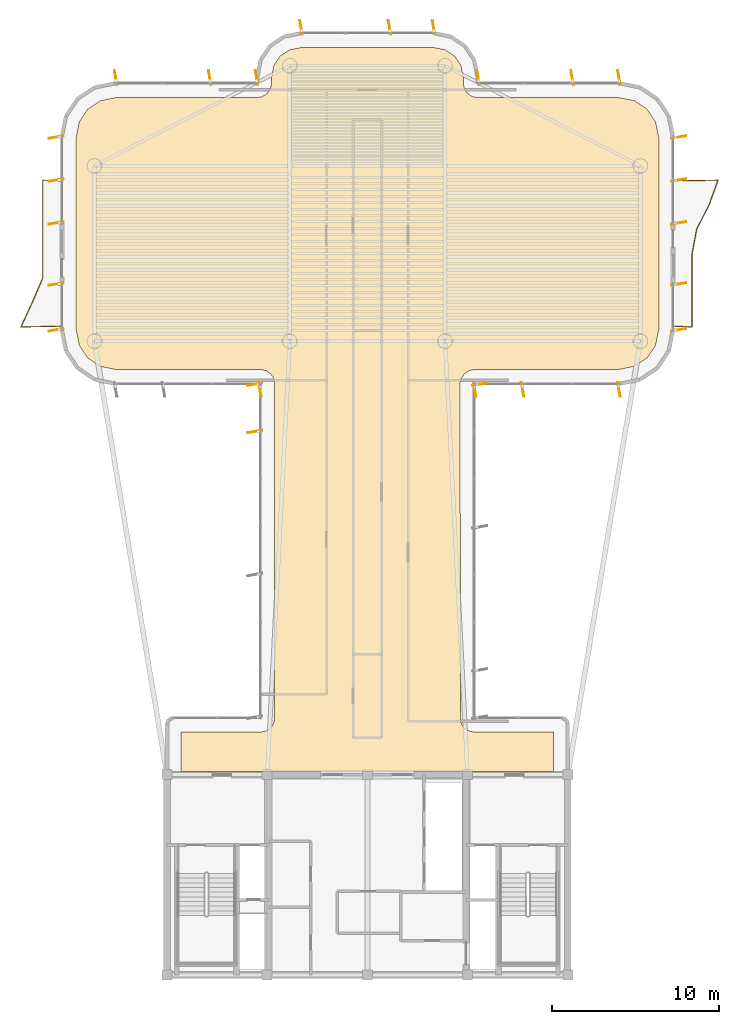
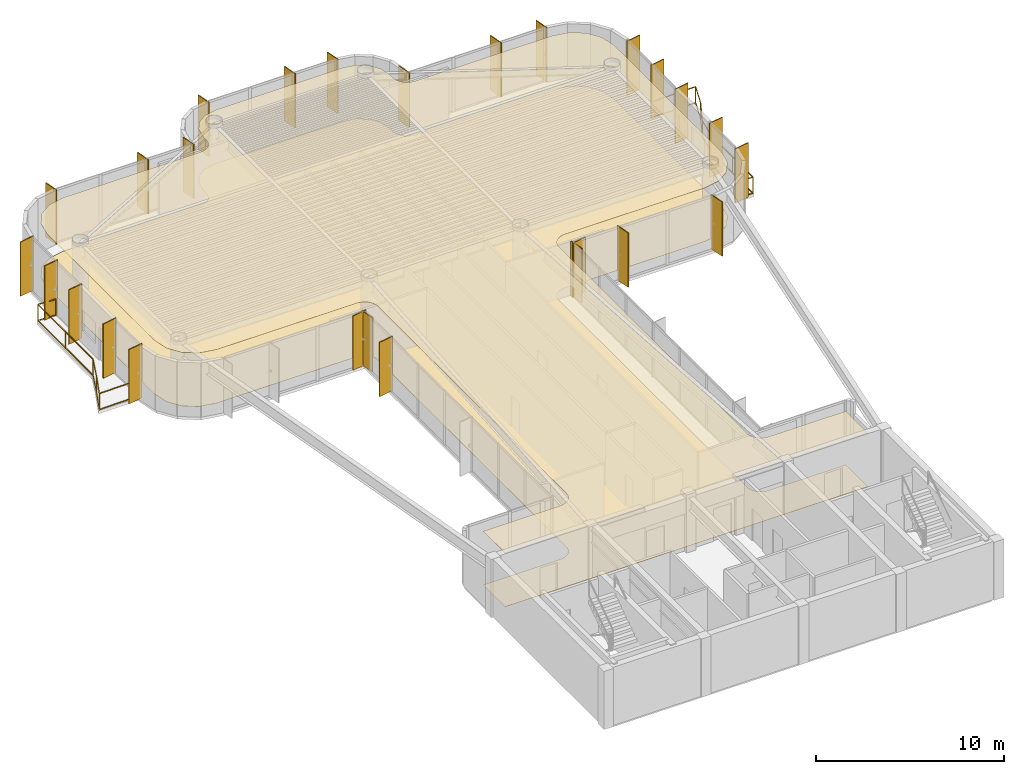
# One storey, part 14 of 14: 26 shading devices, 2 coverings, 2 railings.
"""IFC4 building model written with IfcOpenShell, lengths in metres."""

import ifcopenshell
import ifcopenshell.guid

model = None  # the IFC model being written
_history = None  # IfcOwnerHistory: only IFC2X3 demands one
_inside = {}  # id of a spatial element -> (the spatial element, [elements in it])
_under = {}  # id of a project, library or spatial element -> (it, [spatial elements below it])
_declared = {}  # id of a project -> (the project, [libraries it declares])
_typed = {}  # id of a type object -> (the type object, [elements of that type])
_made_of = {}  # id of a material, layer set ... -> (it, [elements and type objects made of it])


def new_model(schema):
    """Start an empty IFC model of exactly this schema.

    Asked for "IFC4X3", IfcOpenShell would pick the latest addendum, in which some entities
    have other attributes; the version numbers below select the first issue.
    IFC2X3 requires an IfcOwnerHistory on every rooted entity: one is made here for all.
    """
    global model, _history
    if schema == "IFC4X3":
        model = ifcopenshell.file(schema_version=(4, 3, 0, 0))
    else:
        model = ifcopenshell.file(schema=schema)
    _inside.clear()
    _under.clear()
    _declared.clear()
    _typed.clear()
    _made_of.clear()
    _history = None
    if model.schema == "IFC2X3":
        org = make("IfcOrganization", Name="unknown")
        user = make(
            "IfcPersonAndOrganization",
            ThePerson=make("IfcPerson", FamilyName="unknown"),
            TheOrganization=org,
        )
        app = make(
            "IfcApplication",
            ApplicationDeveloper=org,
            Version="unknown",
            ApplicationFullName="unknown",
            ApplicationIdentifier="unknown",
        )
        _history = make(
            "IfcOwnerHistory",
            OwningUser=user,
            OwningApplication=app,
            ChangeAction="ADDED",
            CreationDate=0,
        )
    return model


def make(cls, **values):
    """One entity of the class cls with the attributes given. An attribute that is None is left unset."""
    return model.create_entity(
        cls, **{name: value for name, value in values.items() if value is not None}
    )


def rooted(cls, **values):
    """An entity with a GlobalId (a new one), such as an element, a storey or a relation."""
    return make(cls, GlobalId=ifcopenshell.guid.new(), OwnerHistory=_history, **values)


def si_unit(unit_type, name, prefix=None):
    """IfcSIUnit, for example si_unit("LENGTHUNIT", "METRE", prefix="MILLI")."""
    return make("IfcSIUnit", UnitType=unit_type, Prefix=prefix, Name=name)


def assignment(units):
    """IfcUnitAssignment: the units of a project."""
    return None if units is None else make("IfcUnitAssignment", Units=units)


def point(xyz):
    """IfcCartesianPoint."""
    return None if xyz is None else make("IfcCartesianPoint", Coordinates=xyz)


def direction(xyz):
    """IfcDirection."""
    return None if xyz is None else make("IfcDirection", DirectionRatios=xyz)


def frame(location, z_axis=None, x_axis=None):
    """IfcAxis2Placement3D, a coordinate frame: its origin and axes. An axis left out is left unset."""
    return make(
        "IfcAxis2Placement3D",
        Location=point(location),
        Axis=direction(z_axis),
        RefDirection=direction(x_axis),
    )


def frame_2d(location, x_axis=None):
    """IfcAxis2Placement2D, a coordinate frame in the plane: its origin and x axis."""
    return make(
        "IfcAxis2Placement2D", Location=point(location), RefDirection=direction(x_axis)
    )


def origin():
    """The frame at (0, 0, 0) with its axes left unset."""
    return frame((0.0, 0.0, 0.0))


def origin_2d():
    """The frame at (0, 0) in the plane with its x axis left unset."""
    return frame_2d((0.0, 0.0))


def place(relative_to, where):
    """IfcLocalPlacement: puts the frame where relative to a parent placement (None: the world)."""
    return make(
        "IfcLocalPlacement", PlacementRelTo=relative_to, RelativePlacement=where
    )


def context(
    kind, dimensions, precision=None, world=None, true_north=None, identifier=None
):
    """IfcGeometricRepresentationContext, for example the 3D "Model" context."""
    return make(
        "IfcGeometricRepresentationContext",
        ContextIdentifier=identifier,
        ContextType=kind,
        CoordinateSpaceDimension=dimensions,
        Precision=precision,
        WorldCoordinateSystem=world,
        TrueNorth=true_north,
    )


def subcontext(parent, identifier, kind, view, scale=None):
    """IfcGeometricRepresentationSubContext, for example "Body" below "Model"."""
    return make(
        "IfcGeometricRepresentationSubContext",
        ContextIdentifier=identifier,
        ContextType=kind,
        ParentContext=parent,
        TargetScale=scale,
        TargetView=view,
    )


def project(units=None, contexts=None):
    """IfcProject with its units and contexts."""
    return rooted(
        "IfcProject",
        Name="project",
        RepresentationContexts=contexts,
        UnitsInContext=assignment(units),
    )


def spatial(cls, under=None, at=None, **own):
    """A site, building, storey or space (cls), placed at a placement, below another one or the project."""
    s = rooted(cls, ObjectPlacement=at, **own)
    if under is not None:
        _under.setdefault(under.id(), (under, []))[1].append(s)
    return s


def polyline(points):
    """IfcPolyline through the points."""
    return make("IfcPolyline", Points=[point(p) for p in points])


def profile(cls, at=None, kind="AREA", **sizes):
    """A parametric profile (cls). Its sizes go by their IFC names, for example OverallWidth=200.0."""
    return make(cls, ProfileType=kind, Position=at, **sizes)


def rectangle(**sizes):
    """IfcRectangleProfileDef."""
    return profile("IfcRectangleProfileDef", **sizes)


def outline(outer, holes=None, kind="AREA"):
    """IfcArbitraryClosedProfileDef: a profile drawn as a closed curve; with holes, ...WithVoids."""
    if holes is None:
        return make("IfcArbitraryClosedProfileDef", ProfileType=kind, OuterCurve=outer)
    return make(
        "IfcArbitraryProfileDefWithVoids",
        ProfileType=kind,
        OuterCurve=outer,
        InnerCurves=holes,
    )


def extrude(swept, where, along, depth):
    """IfcExtrudedAreaSolid: the profile swept, set in the frame where, extruded along a direction by depth."""
    return make(
        "IfcExtrudedAreaSolid",
        SweptArea=swept,
        Position=where,
        ExtrudedDirection=direction(along),
        Depth=depth,
    )


def shape(context_of_items, identifier, shape_type, items):
    """IfcShapeRepresentation: the items that make up one representation, for example the "Body"."""
    return make(
        "IfcShapeRepresentation",
        ContextOfItems=context_of_items,
        RepresentationIdentifier=identifier,
        RepresentationType=shape_type,
        Items=items,
    )


def source(mapping_origin, context_of_items, identifier, shape_type, items):
    """IfcRepresentationMap: a shape defined once, which mapped items show again and again."""
    return make(
        "IfcRepresentationMap",
        MappingOrigin=mapping_origin,
        MappedRepresentation=shape(context_of_items, identifier, shape_type, items),
    )


def transform(
    local_origin,
    x_axis=None,
    y_axis=None,
    z_axis=None,
    scale=None,
    scale2=None,
    scale3=None,
    uniform=True,
):
    """IfcCartesianTransformationOperator3D, or its non-uniform kind. x_axis, y_axis, z_axis: its Axis1, 2, 3."""
    if uniform:
        return make(
            "IfcCartesianTransformationOperator3D",
            Axis1=direction(x_axis),
            Axis2=direction(y_axis),
            LocalOrigin=point(local_origin),
            Scale=scale,
            Axis3=direction(z_axis),
        )
    return make(
        "IfcCartesianTransformationOperator3DnonUniform",
        Axis1=direction(x_axis),
        Axis2=direction(y_axis),
        LocalOrigin=point(local_origin),
        Scale=scale,
        Axis3=direction(z_axis),
        Scale2=scale2,
        Scale3=scale3,
    )


def mapped(mapping_source, mapping_target):
    """IfcMappedItem: shows the shape of a source again, moved by a transform."""
    return make(
        "IfcMappedItem", MappingSource=mapping_source, MappingTarget=mapping_target
    )


def material(Name=None, Category=None):
    """IfcMaterial."""
    return make("IfcMaterial", Name=Name, Category=Category)


def layer(
    of_material, thickness, ventilated=None, Name=None, Category=None, Priority=None
):
    """IfcMaterialLayer: one layer of a wall or slab, of a material (None: an air gap)."""
    return make(
        "IfcMaterialLayer",
        Material=of_material,
        LayerThickness=thickness,
        IsVentilated=ventilated,
        Name=Name,
        Category=Category,
        Priority=Priority,
    )


def layer_set(layers, Name=None):
    """IfcMaterialLayerSet."""
    return make("IfcMaterialLayerSet", MaterialLayers=layers, LayerSetName=Name)


def material_profile(
    of_material, cross_section, Name=None, Category=None, Priority=None
):
    """IfcMaterialProfile: a cross section and its material."""
    return make(
        "IfcMaterialProfile",
        Name=Name,
        Material=of_material,
        Profile=cross_section,
        Priority=Priority,
        Category=Category,
    )


def profile_set(profiles, Name=None, composite=None):
    """IfcMaterialProfileSet."""
    return make(
        "IfcMaterialProfileSet",
        Name=Name,
        MaterialProfiles=profiles,
        CompositeProfile=composite,
    )


def made_of(thing, what):
    """Note that an element or type object is made of a material, layer set ...; save() writes the relation."""
    if what is not None:
        _made_of.setdefault(what.id(), (what, []))[1].append(thing)
    return thing


def type_object(cls, material=None, **own):
    """A type object (cls), such as IfcWallType, which elements share."""
    return made_of(rooted(cls, **own), material)


def element(
    cls,
    number,
    at=None,
    inside=None,
    cuts=None,
    type_object=None,
    material=None,
    context=None,
    identifier="Body",
    shape_type=None,
    held_by="IfcProductDefinitionShape",
    body=None,
    shapes=None,
    **own,
):
    """One element of the class cls, such as IfcWall. Its Tag is "e" and its number.

    at: its placement. inside: the storey or other place that contains it. cuts: it is an
    opening in that element (IfcRelVoidsElement). A single representation is given by context,
    identifier, shape_type and body (its items); several are given by shapes. held_by: the class
    of the entity that holds the representations. save() writes the other relations.
    """
    e = rooted(cls, Tag="e%d" % number, ObjectPlacement=at, **own)
    if body is not None:
        shapes = [shape(context, identifier, shape_type, body)]
    if shapes is not None:
        e.Representation = make(held_by, Representations=shapes)
    if inside is not None:
        _inside.setdefault(inside.id(), (inside, []))[1].append(e)
    if cuts is not None:
        rooted(
            "IfcRelVoidsElement", RelatingBuildingElement=cuts, RelatedOpeningElement=e
        )
    if type_object is not None:
        _typed.setdefault(type_object.id(), (type_object, []))[1].append(e)
    return made_of(e, material)


def aggregate(whole, parts):
    """IfcRelAggregates: a whole, such as a stair, and the parts it consists of."""
    return rooted("IfcRelAggregates", RelatingObject=whole, RelatedObjects=parts)


def save(model, path):
    """Write the relations noted so far, then the file.

    IfcRelAggregates (storeys below a building ...), IfcRelContainedInSpatialStructure (elements
    in a storey), IfcRelDefinesByType, IfcRelAssociatesMaterial and IfcRelDeclares: one each for
    every whole, place, type object, material and project.
    """
    for whole, parts in _under.values():
        aggregate(whole, parts)
    for where, things in _inside.values():
        rooted(
            "IfcRelContainedInSpatialStructure",
            RelatedElements=things,
            RelatingStructure=where,
        )
    for kind, things in _typed.values():
        rooted("IfcRelDefinesByType", RelatedObjects=things, RelatingType=kind)
    for what, things in _made_of.values():
        rooted("IfcRelAssociatesMaterial", RelatedObjects=things, RelatingMaterial=what)
    for by, libraries in _declared.values():
        rooted("IfcRelDeclares", RelatingContext=by, RelatedDefinitions=libraries)
    model.write(path)


model = new_model("IFC4")

# Units and contexts
model_context = context("Model", 3, precision=1e-05, world=origin(), true_north=direction((0.0, 1.0)))
body_context = subcontext(model_context, "Body", "Model", "MODEL_VIEW")
ifc_project = project(units=[si_unit("LENGTHUNIT", "METRE"), si_unit("AREAUNIT", "SQUARE_METRE"), si_unit("VOLUMEUNIT", "CUBIC_METRE"), si_unit("PLANEANGLEUNIT", "RADIAN"), si_unit("MASSUNIT", "GRAM", prefix="KILO")], contexts=[model_context])

# Site, building, storey
site_placement = place(None, origin())
site = spatial("IfcSite", under=ifc_project, at=site_placement, CompositionType="ELEMENT")
building_placement = place(site_placement, origin())
building = spatial("IfcBuilding", under=site, at=building_placement, Name="Brelvock Crest Care Tower", CompositionType="ELEMENT")
storey_placement = place(building_placement, frame((0.0, 0.0, 257.0400390625)))
storey = spatial("IfcBuildingStorey", under=building, at=storey_placement, Name="L65", CompositionType="ELEMENT", Elevation=257.0400390625)

# Coverings
ifc_material_1 = material(Name="Mineral Fibre Acoustic Ceiling Tile", Category="gypsum")
ifc_layer_1 = layer(ifc_material_1, 0.02490234375, Name="COV-CLG1")
ifc_layer_set_1 = layer_set([ifc_layer_1], Name="Mineral Fibre Acoustic Ceiling Tile")
covering_type_1 = type_object("IfcCoveringType", Name="COV-CLG1", PredefinedType="CEILING", material=ifc_layer_set_1)
covering_1_placement = place(storey_placement, frame((0.0, 0.0, 3.474853515625)))
element("IfcCovering", 1, at=covering_1_placement, inside=storey, type_object=covering_type_1, Name="L65 Acoustic Suspended Ceiling 1", PredefinedType="CEILING", context=body_context, shape_type="SweptSolid", body=[
    extrude(outline(polyline([(24.85009765625, 18.199951171875), (47.14990234375, 18.199951171875), (47.14990234375, 20.550048828125), (42.316650390625, 20.55419921875), (41.999267578125, 20.650390625), (41.799072265625, 20.799072265625), (41.650390625, 20.999267578125), (41.56640625, 21.234130859375), (41.55419921875, 41.4833984375), (41.61474609375, 41.725341796875), (41.799072265625, 42.0009765625), (42.07470703125, 42.185302734375), (42.316650390625, 42.245849609375), (51.016357421875, 42.25), (51.992919921875, 42.4443359375), (52.75, 42.9501953125), (53.255615234375, 43.70703125), (53.449951171875, 44.68359375), (53.449951171875, 56.1162109375), (53.255615234375, 57.093017578125), (52.75, 57.849853515625), (51.992919921875, 58.355712890625), (51.016357421875, 58.550048828125), (42.60009765625, 58.550048828125), (42.353271484375, 58.586669921875), (42.127685546875, 58.693359375), (41.9990234375, 58.799072265625), (41.814697265625, 59.07470703125), (41.754150390625, 59.316650390625), (41.75, 59.71630859375), (41.601318359375, 60.46337890625), (41.2255859375, 61.025634765625), (40.663330078125, 61.4013671875), (39.916259765625, 61.550048828125), (32.083740234375, 61.550048828125), (31.336669921875, 61.4013671875), (30.7744140625, 61.025634765625), (30.398681640625, 60.46337890625), (30.25, 59.71630859375), (30.245849609375, 59.316650390625), (30.185302734375, 59.07470703125), (30.0009765625, 58.799072265625), (29.872314453125, 58.693359375), (29.646728515625, 58.586669921875), (29.39990234375, 58.550048828125), (20.983642578125, 58.550048828125), (20.007080078125, 58.355712890625), (19.25, 57.849853515625), (18.744384765625, 57.093017578125), (18.550048828125, 56.1162109375), (18.550048828125, 44.68359375), (18.744384765625, 43.70703125), (19.25, 42.9501953125), (20.007080078125, 42.4443359375), (20.983642578125, 42.25), (29.683349609375, 42.245849609375), (29.92529296875, 42.185302734375), (30.200927734375, 42.0009765625), (30.349609375, 41.80078125), (30.43359375, 41.56591796875), (30.449951171875, 21.39990234375), (30.413330078125, 21.1533203125), (30.306640625, 20.927734375), (30.13916015625, 20.742919921875), (29.92529296875, 20.61474609375), (29.683349609375, 20.55419921875), (24.85009765625, 20.550048828125), (24.85009765625, 18.199951171875)])), origin(), (0.0, 0.0, 1.0), 0.025146484375),
])
ifc_material_2 = material(Name="Slip-Resistant Acoustic Vinyl Flooring", Category="finish")
ifc_layer_2 = layer(ifc_material_2, 0.014892578125, Name="COV-FLR1")
ifc_layer_set_2 = layer_set([ifc_layer_2], Name="Slip-Resistant Acoustic Vinyl Flooring")
covering_type_2 = type_object("IfcCoveringType", Name="COV-FLR1", PredefinedType="FLOORING", material=ifc_layer_set_2)
covering_2_placement = place(storey_placement, origin())
element("IfcCovering", 2, at=covering_2_placement, inside=storey, type_object=covering_type_2, Name="L65 Slip-Resistant Acoustic Flooring 1", PredefinedType="FLOORING", context=body_context, shape_type="SweptSolid", body=[
    extrude(outline(polyline([(24.85009765625, 18.199951171875), (47.14990234375, 18.199951171875), (47.14990234375, 20.550048828125), (42.316650390625, 20.55419921875), (41.999267578125, 20.650390625), (41.799072265625, 20.799072265625), (41.650390625, 20.999267578125), (41.56640625, 21.234130859375), (41.55419921875, 41.4833984375), (41.61474609375, 41.725341796875), (41.799072265625, 42.0009765625), (42.07470703125, 42.185302734375), (42.316650390625, 42.245849609375), (51.016357421875, 42.25), (51.992919921875, 42.4443359375), (52.75, 42.9501953125), (53.255615234375, 43.70703125), (53.449951171875, 44.68359375), (53.449951171875, 56.1162109375), (53.255615234375, 57.093017578125), (52.75, 57.849853515625), (51.992919921875, 58.355712890625), (51.016357421875, 58.550048828125), (42.60009765625, 58.550048828125), (42.353271484375, 58.586669921875), (42.127685546875, 58.693359375), (41.9990234375, 58.799072265625), (41.814697265625, 59.07470703125), (41.754150390625, 59.316650390625), (41.75, 59.71630859375), (41.601318359375, 60.46337890625), (41.2255859375, 61.025634765625), (40.663330078125, 61.4013671875), (39.916259765625, 61.550048828125), (32.083740234375, 61.550048828125), (31.336669921875, 61.4013671875), (30.7744140625, 61.025634765625), (30.398681640625, 60.46337890625), (30.25, 59.71630859375), (30.245849609375, 59.316650390625), (30.185302734375, 59.07470703125), (30.0009765625, 58.799072265625), (29.872314453125, 58.693359375), (29.646728515625, 58.586669921875), (29.39990234375, 58.550048828125), (20.983642578125, 58.550048828125), (20.007080078125, 58.355712890625), (19.25, 57.849853515625), (18.744384765625, 57.093017578125), (18.550048828125, 56.1162109375), (18.550048828125, 44.68359375), (18.744384765625, 43.70703125), (19.25, 42.9501953125), (20.007080078125, 42.4443359375), (20.983642578125, 42.25), (29.683349609375, 42.245849609375), (29.92529296875, 42.185302734375), (30.200927734375, 42.0009765625), (30.349609375, 41.80078125), (30.43359375, 41.56591796875), (30.449951171875, 21.39990234375), (30.413330078125, 21.1533203125), (30.306640625, 20.927734375), (30.13916015625, 20.742919921875), (29.92529296875, 20.61474609375), (29.683349609375, 20.55419921875), (24.85009765625, 20.550048828125), (24.85009765625, 18.199951171875)])), origin(), (0.0, 0.0, 1.0), 0.014892578125),
])

# Railings
ifc_material_3 = material(Name="Dark Glass Double Glazed Low-E", Category="glass")
ifc_layer_3 = layer(ifc_material_3, 0.06005859375, Name="RL-BAL1")
ifc_layer_set_3 = layer_set([ifc_layer_3], Name="Dark Glass Double Glazed Low-E")
railing_type = type_object("IfcRailingType", Name="RL-BAL1", PredefinedType="BALUSTRADE", material=ifc_layer_set_3)
railing_1_placement = place(storey_placement, frame((17.659912109375, 44.85009765625, 0.00390625)))
element("IfcRailing", 3, at=railing_1_placement, inside=storey, type_object=railing_type, Name="L65 Safety Balustrade WB-W", PredefinedType="BALUSTRADE", context=body_context, shape_type="SweptSolid", body=[
    extrude(rectangle(XDim=0.048095703125, YDim=0.048095703125, at=origin_2d()), frame((-0.001953125, 0.0, 1.09619140625), z_axis=(-0.999783452903, -0.020809788592, 0.0), x_axis=(0.020809788592, -0.999783452903, 0.0)), (0.0, 0.0, 1.0), 2.401123046875),
    extrude(rectangle(XDim=0.048095703125, YDim=0.048095703125, at=origin_2d()), frame((-0.001953125, 0.0, 0.054931640625), z_axis=(-0.999783452903, -0.020809788592, 0.0), x_axis=(0.020809788592, -0.999783452903, 0.0)), (0.0, 0.0, 1.0), 2.401123046875),
    extrude(rectangle(XDim=0.048095703125, YDim=0.048095703125, at=origin_2d()), frame((-2.40380859375, -0.04833984375, 1.09619140625), z_axis=(0.417503547282, 0.908675292944, 0.0), x_axis=(-0.908675292944, 0.417503547282, 0.0)), (0.0, 0.0, 1.0), 1.60986328125),
    extrude(rectangle(XDim=0.048095703125, YDim=0.048095703125, at=origin_2d()), frame((-2.40380859375, -0.04833984375, 0.054931640625), z_axis=(0.417503547282, 0.908675292944, 0.0), x_axis=(-0.908675292944, 0.417503547282, 0.0)), (0.0, 0.0, 1.0), 1.60986328125),
    extrude(rectangle(XDim=0.048095703125, YDim=0.048095703125, at=origin_2d()), frame((-1.72998046875, 1.41845703125, 1.09619140625), z_axis=(0.395100013248, 0.918638111299, 0.0), x_axis=(-0.918638111299, 0.395100013248, 0.0)), (0.0, 0.0, 1.0), 1.5927734375),
    extrude(rectangle(XDim=0.048095703125, YDim=0.048095703125, at=origin_2d()), frame((-1.72998046875, 1.41845703125, 0.054931640625), z_axis=(0.395100013248, 0.918638111299, 0.0), x_axis=(-0.918638111299, 0.395100013248, 0.0)), (0.0, 0.0, 1.0), 1.5927734375),
    extrude(rectangle(XDim=0.048095703125, YDim=0.048095703125, at=origin_2d()), frame((-1.099853515625, 2.88525390625, 1.09619140625), z_axis=(0.0, 1.0, 0.0), x_axis=(-1.0, 0.0, 0.0)), (0.0, 0.0, 1.0), 5.86279296875),
    extrude(rectangle(XDim=0.048095703125, YDim=0.048095703125, at=origin_2d()), frame((-1.099853515625, 2.88525390625, 0.054931640625), z_axis=(0.0, 1.0, 0.0), x_axis=(-1.0, 0.0, 0.0)), (0.0, 0.0, 1.0), 5.86279296875),
    extrude(rectangle(XDim=0.048095703125, YDim=0.048095703125, at=origin_2d()), frame((-1.097900390625, 8.75, 1.09619140625), z_axis=(0.998966252902, -0.045457953795, 0.0), x_axis=(0.045457953795, 0.998966252902, 0.0)), (0.0, 0.0, 1.0), 1.096923828125),
    extrude(rectangle(XDim=0.048095703125, YDim=0.048095703125, at=origin_2d()), frame((-1.097900390625, 8.75, 0.054931640625), z_axis=(0.998966252902, -0.045457953795, 0.0), x_axis=(0.045457953795, 0.998966252902, 0.0)), (0.0, 0.0, 1.0), 1.096923828125),
    extrude(rectangle(XDim=0.0419921875, YDim=0.0419921875, at=origin_2d()), origin(), (0.0, 0.0, 1.0), 1.070068359375),
    extrude(rectangle(XDim=0.0419921875, YDim=0.0419921875, at=origin_2d()), frame((-2.404541015625, -0.050048828125, 0.0)), (0.0, 0.0, 1.0), 1.070068359375),
    extrude(rectangle(XDim=0.0419921875, YDim=0.0419921875, at=origin_2d()), frame((-1.730712890625, 1.41650390625, 0.0)), (0.0, 0.0, 1.0), 1.070068359375),
    extrude(rectangle(XDim=0.0419921875, YDim=0.0419921875, at=origin_2d()), frame((-1.099853515625, 2.88330078125, 0.0)), (0.0, 0.0, 1.0), 1.070068359375),
    extrude(rectangle(XDim=0.0419921875, YDim=0.0419921875, at=origin_2d()), frame((-1.099853515625, 5.816650390625, 0.0)), (0.0, 0.0, 1.0), 1.070068359375),
    extrude(rectangle(XDim=0.0419921875, YDim=0.0419921875, at=origin_2d()), frame((-1.099853515625, 8.75, 0.0)), (0.0, 0.0, 1.0), 1.070068359375),
    extrude(rectangle(XDim=0.0419921875, YDim=0.0419921875, at=origin_2d()), frame((0.0, 8.699951171875, 0.0)), (0.0, 0.0, 1.0), 1.070068359375),
])
railing_2_placement = place(storey_placement, frame((54.340087890625, 44.85009765625, 0.00390625)))
element("IfcRailing", 4, at=railing_2_placement, inside=storey, type_object=railing_type, Name="L65 Safety Balustrade WB-E", PredefinedType="BALUSTRADE", context=body_context, shape_type="SweptSolid", body=[
    extrude(rectangle(XDim=0.048095703125, YDim=0.048095703125, at=origin_2d()), frame((0.001953125, 0.0, 1.09619140625), z_axis=(0.998966252902, -0.045457953795, 0.0), x_axis=(0.045457953795, 0.998966252902, 0.0)), (0.0, 0.0, 1.0), 1.096923828125),
    extrude(rectangle(XDim=0.048095703125, YDim=0.048095703125, at=origin_2d()), frame((0.001953125, 0.0, 0.054931640625), z_axis=(0.998966252902, -0.045457953795, 0.0), x_axis=(0.045457953795, 0.998966252902, 0.0)), (0.0, 0.0, 1.0), 1.096923828125),
    extrude(rectangle(XDim=0.048095703125, YDim=0.048095703125, at=origin_2d()), frame((1.099853515625, -0.048095703125, 1.09619140625), z_axis=(0.0, 1.0, 0.0), x_axis=(-1.0, 0.0, 0.0)), (0.0, 0.0, 1.0), 4.39599609375),
    extrude(rectangle(XDim=0.048095703125, YDim=0.048095703125, at=origin_2d()), frame((1.099853515625, -0.048095703125, 0.054931640625), z_axis=(0.0, 1.0, 0.0), x_axis=(-1.0, 0.0, 0.0)), (0.0, 0.0, 1.0), 4.39599609375),
    extrude(rectangle(XDim=0.048095703125, YDim=0.048095703125, at=origin_2d()), frame((1.100341796875, 4.351806640625, 1.09619140625), z_axis=(0.187051999936, 0.982350013651, 0.0), x_axis=(-0.982350013651, 0.187051999936, 0.0)), (0.0, 0.0, 1.0), 1.4892578125),
    extrude(rectangle(XDim=0.048095703125, YDim=0.048095703125, at=origin_2d()), frame((1.100341796875, 4.351806640625, 0.054931640625), z_axis=(0.187051999936, 0.982350013651, 0.0), x_axis=(-0.982350013651, 0.187051999936, 0.0)), (0.0, 0.0, 1.0), 1.4892578125),
    extrude(rectangle(XDim=0.048095703125, YDim=0.048095703125, at=origin_2d()), frame((1.380126953125, 5.818359375, 1.09619140625), z_axis=(0.453316616849, 0.891349563801, 0.0), x_axis=(-0.891349563801, 0.453316616849, 0.0)), (0.0, 0.0, 1.0), 1.641357421875),
    extrude(rectangle(XDim=0.048095703125, YDim=0.048095703125, at=origin_2d()), frame((1.380126953125, 5.818359375, 0.054931640625), z_axis=(0.453316616849, 0.891349563801, 0.0), x_axis=(-0.891349563801, 0.453316616849, 0.0)), (0.0, 0.0, 1.0), 1.641357421875),
    extrude(rectangle(XDim=0.048095703125, YDim=0.048095703125, at=origin_2d()), frame((2.125732421875, 7.28515625, 1.09619140625), z_axis=(0.338597458076, 0.940931326604, 0.0), x_axis=(-0.940931326604, 0.338597458076, 0.0)), (0.0, 0.0, 1.0), 1.554931640625),
    extrude(rectangle(XDim=0.048095703125, YDim=0.048095703125, at=origin_2d()), frame((2.125732421875, 7.28515625, 0.054931640625), z_axis=(0.338597458076, 0.940931326604, 0.0), x_axis=(-0.940931326604, 0.338597458076, 0.0)), (0.0, 0.0, 1.0), 1.554931640625),
    extrude(rectangle(XDim=0.048095703125, YDim=0.048095703125, at=origin_2d()), frame((2.65087890625, 8.75, 1.09619140625), z_axis=(-0.999822080967, -0.018862831456, 0.0), x_axis=(0.018862831456, -0.999822080967, 0.0)), (0.0, 0.0, 1.0), 2.6494140625),
    extrude(rectangle(XDim=0.048095703125, YDim=0.048095703125, at=origin_2d()), frame((2.65087890625, 8.75, 0.054931640625), z_axis=(-0.999822080967, -0.018862831456, 0.0), x_axis=(0.018862831456, -0.999822080967, 0.0)), (0.0, 0.0, 1.0), 2.6494140625),
    extrude(rectangle(XDim=0.0419921875, YDim=0.0419921875, at=origin_2d()), origin(), (0.0, 0.0, 1.0), 1.070068359375),
    extrude(rectangle(XDim=0.0419921875, YDim=0.0419921875, at=origin_2d()), frame((1.099853515625, -0.050048828125, 0.0)), (0.0, 0.0, 1.0), 1.070068359375),
    extrude(rectangle(XDim=0.0419921875, YDim=0.0419921875, at=origin_2d()), frame((1.099853515625, 2.14990234375, 0.0)), (0.0, 0.0, 1.0), 1.070068359375),
    extrude(rectangle(XDim=0.0419921875, YDim=0.0419921875, at=origin_2d()), frame((1.099853515625, 4.349853515625, 0.0)), (0.0, 0.0, 1.0), 1.070068359375),
    extrude(rectangle(XDim=0.0419921875, YDim=0.0419921875, at=origin_2d()), frame((1.379150390625, 5.816650390625, 0.0)), (0.0, 0.0, 1.0), 1.070068359375),
    extrude(rectangle(XDim=0.0419921875, YDim=0.0419921875, at=origin_2d()), frame((2.125, 7.283203125, 0.0)), (0.0, 0.0, 1.0), 1.070068359375),
    extrude(rectangle(XDim=0.0419921875, YDim=0.0419921875, at=origin_2d()), frame((2.65283203125, 8.75, 0.0)), (0.0, 0.0, 1.0), 1.070068359375),
    extrude(rectangle(XDim=0.0419921875, YDim=0.0419921875, at=origin_2d()), frame((0.0, 8.699951171875, 0.0)), (0.0, 0.0, 1.0), 1.070068359375),
])

# Shading devices
ifc_material_4 = material(Name="Aluminium 6063-T6", Category="aluminium")
ifc_material_profile = material_profile(ifc_material_4, rectangle(XDim=0.054931640625, YDim=0.89990234375, at=origin_2d()), Name="FIN55x900")
ifc_profile_set = profile_set([ifc_material_profile], Name="Aluminium 6063-T6")
shading_device_type = type_object("IfcShadingDeviceType", Name="SHD-FIN1", PredefinedType="USERDEFINED", material=ifc_profile_set)
shared_shape = source(origin(), body_context, "Body", "SweptSolid", [
    extrude(rectangle(XDim=0.054931640625, YDim=0.89990234375, at=origin_2d()), origin(), (0.0, 0.0, 1.0), 3.530029296875),
])
for number, where, z_axis, x_axis, name in (
    (5, (29.260009765625, 38.54296875, 0.0), (0.0, 0.0, 1.0), (-0.173648177667, 0.984807753012, 0.0), "L65 Vertical Sunshade Fin E11-07"),
    (6, (29.260009765625, 41.3701171875, 0.0), (0.0, 0.0, 1.0), (-0.173648177667, 0.984807753012, 0.0), "L65 Vertical Sunshade Fin E11-08"),
    (7, (29.570068359375, 41.06005859375, 0.0), (0.0, 0.0, 1.0), (-0.984807753012, -0.173648177667, 0.0), "L65 Vertical Sunshade Fin E12-01"),
    (8, (17.360107421875, 44.6298828125, 0.0), (0.0, 0.0, 1.0), (-0.173648177667, 0.984807753012, 0.0), "L65 Vertical Sunshade Fin E17A-01"),
    (9, (17.360107421875, 47.3701171875, 0.0), (0.0, 0.0, 1.0), (-0.173648177667, 0.984807753012, 0.0), "L65 Vertical Sunshade Fin E17A-02"),
    (10, (17.360107421875, 51.030029296875, 0.0), (0.0, 0.0, 1.0), (-0.173648177667, 0.984807753012, 0.0), "L65 Vertical Sunshade Fin E17B-01"),
    (11, (17.360107421875, 53.60009765625, 0.0), (0.0, 0.0, 1.0), (-0.173648177667, 0.984807753012, 0.0), "L65 Vertical Sunshade Fin E17B-02"),
    (12, (17.360107421875, 56.169921875, 0.0), (0.0, 0.0, 1.0), (-0.173648177667, 0.984807753012, 0.0), "L65 Vertical Sunshade Fin E17B-03"),
    (13, (20.929931640625, 59.739990234375, 0.0), (0.0, 0.0, 1.0), (0.984807753012, 0.173648177667, 0.0), "L65 Vertical Sunshade Fin E22-01"),
    (14, (26.566650390625, 59.739990234375, 0.0), (0.0, 0.0, 1.0), (0.984807753012, 0.173648177667, 0.0), "L65 Vertical Sunshade Fin E22-03"),
    (15, (29.3701171875, 59.739990234375, 0.0), (0.0, 0.0, 1.0), (0.984807753012, 0.173648177667, 0.0), "L65 Vertical Sunshade Fin E22-04"),
    (16, (32.030029296875, 62.739990234375, 0.0), (0.0, 0.0, 1.0), (0.984807753012, 0.173648177667, 0.0), "L65 Vertical Sunshade Fin E28-01"),
    (17, (37.333251953125, 62.739990234375, 0.0), (0.0, 0.0, 1.0), (0.984807753012, 0.173648177667, 0.0), "L65 Vertical Sunshade Fin E28-03"),
    (18, (39.969970703125, 62.739990234375, 0.0), (0.0, 0.0, 1.0), (0.984807753012, 0.173648177667, 0.0), "L65 Vertical Sunshade Fin E28-04"),
    (19, (42.6298828125, 59.739990234375, 0.0), (0.0, 0.0, 1.0), (0.984807753012, 0.173648177667, 0.0), "L65 Vertical Sunshade Fin E34-01"),
    (20, (48.2666015625, 59.739990234375, 0.0), (0.0, 0.0, 1.0), (0.984807753012, 0.173648177667, 0.0), "L65 Vertical Sunshade Fin E34-03"),
    (21, (51.070068359375, 59.739990234375, 0.0), (0.0, 0.0, 1.0), (0.984807753012, 0.173648177667, 0.0), "L65 Vertical Sunshade Fin E34-04"),
    (22, (54.639892578125, 56.169921875, 0.0), (0.0, 0.0, 1.0), (0.173648177667, -0.984807753012, 0.0), "L65 Vertical Sunshade Fin E39A-01"),
    (23, (54.639892578125, 53.60009765625, 0.0), (0.0, 0.0, 1.0), (0.173648177667, -0.984807753012, 0.0), "L65 Vertical Sunshade Fin E39A-02"),
    (24, (54.639892578125, 51.030029296875, 0.0), (0.0, 0.0, 1.0), (0.173648177667, -0.984807753012, 0.0), "L65 Vertical Sunshade Fin E39A-03"),
    (25, (54.639892578125, 47.3701171875, 0.0), (0.0, 0.0, 1.0), (0.173648177667, -0.984807753012, 0.0), "L65 Vertical Sunshade Fin E39B-01"),
    (26, (54.639892578125, 44.6298828125, 0.0), (0.0, 0.0, 1.0), (0.173648177667, -0.984807753012, 0.0), "L65 Vertical Sunshade Fin E39B-02"),
    (27, (51.070068359375, 41.06005859375, 0.0), (0.0, 0.0, 1.0), (-0.984807753012, -0.173648177667, 0.0), "L65 Vertical Sunshade Fin E44-01"),
    (28, (45.300048828125, 41.06005859375, 0.0), (0.0, 0.0, 1.0), (-0.984807753012, -0.173648177667, 0.0), "L65 Vertical Sunshade Fin E44-03"),
    (29, (42.429931640625, 41.06005859375, 0.0), (0.0, 0.0, 1.0), (-0.984807753012, -0.173648177667, 0.0), "L65 Vertical Sunshade Fin E44-04"),
    (30, (42.739990234375, 41.3701171875, 0.0), (0.0, 0.0, 1.0), (0.173648177667, -0.984807753012, 0.0), "L65 Vertical Sunshade Fin E45-01"),
):
    element("IfcShadingDevice", number, at=place(storey_placement, frame(where, z_axis=z_axis, x_axis=x_axis)), inside=storey, type_object=shading_device_type, Name=name, ObjectType="FIN", PredefinedType="USERDEFINED", context=body_context, shape_type="MappedRepresentation", body=[
        mapped(shared_shape, transform((0.0, 0.0, 0.0), x_axis=(1.0, 0.0, 0.0), y_axis=(0.0, 1.0, 0.0), z_axis=(0.0, 0.0, 1.0), scale=1.0)),
    ])

save(model, "model.ifc")
